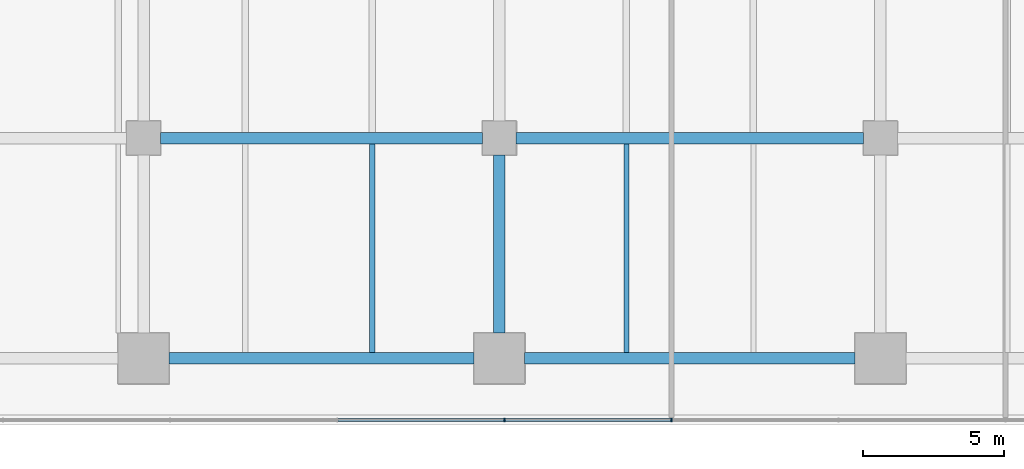
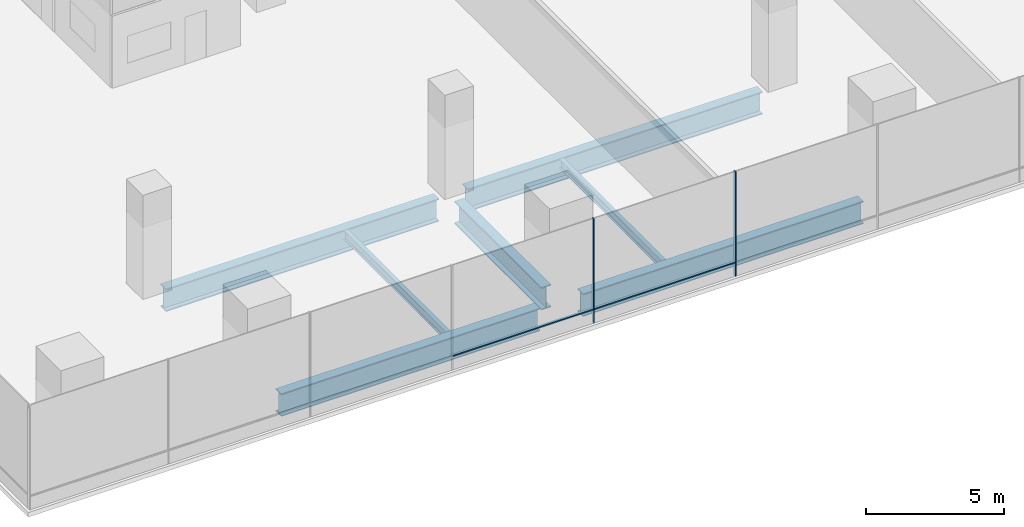
# One storey, part 3 of 28: 7 beams, 4 members, 1 element without a shape of its own.
"""IFC4 building model written with IfcOpenShell, lengths in metres."""

from ifc_helpers import new_model, si_unit, direction, frame, origin, origin_2d, place, context, subcontext, project, spatial, rectangle, i_section, extrude, material, layer, layer_set, material_profile, profile_set, type_object, element, aggregate, save


model = new_model("IFC4")

# Units and contexts
model_context = context("Model", 3, precision=1e-05, world=origin(), true_north=direction((0.0, 1.0)))
body_context = subcontext(model_context, "Body", "Model", "MODEL_VIEW")
ifc_project = project(units=[si_unit("LENGTHUNIT", "METRE"), si_unit("AREAUNIT", "SQUARE_METRE"), si_unit("VOLUMEUNIT", "CUBIC_METRE"), si_unit("PLANEANGLEUNIT", "RADIAN"), si_unit("MASSUNIT", "GRAM", prefix="KILO")], contexts=[model_context])

# Site, building, storey
site_placement = place(None, origin())
site = spatial("IfcSite", under=ifc_project, at=site_placement, CompositionType="ELEMENT")
building_placement = place(site_placement, origin())
building = spatial("IfcBuilding", under=site, at=building_placement, Name="Rattan Terrace Tower", CompositionType="ELEMENT")
storey_placement = place(building_placement, frame((0.0, 0.0, 22.199951171875)))
storey = spatial("IfcBuildingStorey", under=building, at=storey_placement, Name="L04", CompositionType="ELEMENT", Elevation=22.199951171875)

# Beams
ifc_material_1 = material(Name="Steel S355", Category="steel")
ifc_material_profile_1 = material_profile(ifc_material_1, i_section(OverallWidth=0.179931640625, OverallDepth=0.39990234375, WebThickness=0.008544921875, FlangeThickness=0.013427734375, FilletRadius=0.02099609375, at=origin_2d()), Name="IPE 400")
ifc_profile_set_1 = profile_set([ifc_material_profile_1], Name="Steel S355")
beam_type_1 = type_object("IfcBeamType", Name="Frame floor beam IPE 400", PredefinedType="JOIST", material=ifc_profile_set_1)
for number, where, z_axis, x_axis, name in (
    (1, (-18.0, -34.699951171875, -0.39990234375), (0.0, 1.0, 0.0), (-1.0, 0.0, 0.0), "bm-L04-005"),
    (2, (-9.0, -34.699951171875, -0.39990234375), (0.0, 1.0, 0.0), (-1.0, 0.0, 0.0), "bm-L04-006"),
):
    element("IfcBeam", number, at=place(storey_placement, frame(where, z_axis=z_axis, x_axis=x_axis)), inside=storey, type_object=beam_type_1, Name=name, PredefinedType="JOIST", context=body_context, shape_type="SweptSolid", body=[
        extrude(i_section(OverallWidth=0.179931640625, OverallDepth=0.39990234375, WebThickness=0.008544921875, FlangeThickness=0.013427734375, FilletRadius=0.02099609375, at=origin_2d()), origin(), (0.0, 0.0, 1.0), 7.39990234375),
    ])
ifc_material_2 = material(Name="Steel S460", Category="steel")
ifc_material_profile_2 = material_profile(ifc_material_2, i_section(OverallWidth=0.39990234375, OverallDepth=1.0, WebThickness=0.01806640625, FlangeThickness=0.044921875, at=origin_2d()), Name="PG 1000x400-18-45")
ifc_profile_set_2 = profile_set([ifc_material_profile_2], Name="Steel S460")
beam_type_2 = type_object("IfcBeamType", Name="Frame podium girder PG 1000x400-18-45", PredefinedType="USERDEFINED", material=ifc_profile_set_2)
beam_1_placement = place(storey_placement, frame((-25.199951171875, -34.89990234375, -0.699951171875), z_axis=(1.0, 0.0, 0.0), x_axis=(0.0, 1.0, 0.0)))
element("IfcBeam", 3, at=beam_1_placement, inside=storey, type_object=beam_type_2, Name="gdr-L04-002", ObjectType="PODIUM GIRDER", PredefinedType="USERDEFINED", context=body_context, shape_type="SweptSolid", body=[
    extrude(i_section(OverallWidth=0.39990234375, OverallDepth=1.0, WebThickness=0.01806640625, FlangeThickness=0.044921875, at=origin_2d()), origin(), (0.0, 0.0, 1.0), 10.800048828125),
])
beam_2_placement = place(storey_placement, frame((-12.60009765625, -34.89990234375, -0.699951171875), z_axis=(1.0, 0.0, 0.0), x_axis=(0.0, 1.0, 0.0)))
element("IfcBeam", 4, at=beam_2_placement, inside=storey, type_object=beam_type_2, Name="gdr-L04-003", ObjectType="PODIUM GIRDER", PredefinedType="USERDEFINED", context=body_context, shape_type="SweptSolid", body=[
    extrude(i_section(OverallWidth=0.39990234375, OverallDepth=1.0, WebThickness=0.01806640625, FlangeThickness=0.044921875, at=origin_2d()), origin(), (0.0, 0.0, 1.0), 11.7001953125),
])
beam_3_placement = place(storey_placement, frame((-13.5, -34.0, -0.699951171875), z_axis=(0.0, 1.0, 0.0), x_axis=(-1.0, 0.0, 0.0)))
element("IfcBeam", 5, at=beam_3_placement, inside=storey, type_object=beam_type_2, Name="gdr-L04-009", ObjectType="PODIUM GIRDER", PredefinedType="USERDEFINED", context=body_context, shape_type="SweptSolid", body=[
    extrude(i_section(OverallWidth=0.39990234375, OverallDepth=1.0, WebThickness=0.01806640625, FlangeThickness=0.044921875, at=origin_2d()), origin(), (0.0, 0.0, 1.0), 6.300048828125),
])
beam_4_placement = place(storey_placement, frame((-25.5, -27.10009765625, -0.699951171875), z_axis=(1.0, 0.0, 0.0), x_axis=(0.0, 1.0, 0.0)))
element("IfcBeam", 6, at=beam_4_placement, inside=storey, type_object=beam_type_2, Name="gdr-L04-015", ObjectType="PODIUM GIRDER", PredefinedType="USERDEFINED", context=body_context, shape_type="SweptSolid", body=[
    extrude(i_section(OverallWidth=0.39990234375, OverallDepth=1.0, WebThickness=0.01806640625, FlangeThickness=0.044921875, at=origin_2d()), origin(), (0.0, 0.0, 1.0), 11.39990234375),
])
beam_5_placement = place(storey_placement, frame((-12.89990234375, -27.10009765625, -0.699951171875), z_axis=(1.0, 0.0, 0.0), x_axis=(0.0, 1.0, 0.0)))
element("IfcBeam", 7, at=beam_5_placement, inside=storey, type_object=beam_type_2, Name="gdr-L04-016", ObjectType="PODIUM GIRDER", PredefinedType="USERDEFINED", context=body_context, shape_type="SweptSolid", body=[
    extrude(i_section(OverallWidth=0.39990234375, OverallDepth=1.0, WebThickness=0.01806640625, FlangeThickness=0.044921875, at=origin_2d()), origin(), (0.0, 0.0, 1.0), 12.2998046875),
])

# Curtain wall, members
ifc_material_3 = material(Name="Aluminium and glass", Category="aluminium")
ifc_layer = layer(ifc_material_3, 0.1201171875)
ifc_layer_set = layer_set([ifc_layer], Name="Station Storefront Curtain Wall")
curtain_wall_type = type_object("IfcCurtainWallType", Name="Station Storefront Curtain Wall", PredefinedType="NOTDEFINED", material=ifc_layer_set)
curtain_wall_placement = place(storey_placement, origin())
curtain_wall = element("IfcCurtainWall", 8, at=curtain_wall_placement, inside=storey, type_object=curtain_wall_type, Name="Storefront curtain wall L04-4", PredefinedType="NOTDEFINED")
ifc_material_4 = material(Name="Aluminium", Category="aluminium")
ifc_material_profile_3 = material_profile(ifc_material_4, rectangle(XDim=0.050048828125, YDim=0.1201171875, at=origin_2d()), Name="Aluminium 50x120")
ifc_profile_set_3 = profile_set([ifc_material_profile_3], Name="Aluminium")
member_type_1 = type_object("IfcMemberType", Name="Storefront CW Mullion 50x120", PredefinedType="MULLION", material=ifc_profile_set_3)
member_1_placement = place(storey_placement, frame((-13.320068359375, -37.080078125, 0.0), z_axis=(0.0, 0.0, 1.0), x_axis=(1.0, 0.0, 0.0)))
member_1 = element("IfcMember", 9, at=member_1_placement, type_object=member_type_1, Name="Mullion cwl-L04-004.5", PredefinedType="MULLION", context=body_context, shape_type="SweptSolid", body=[
    extrude(rectangle(XDim=0.050048828125, YDim=0.1201171875, at=origin_2d()), origin(), (0.0, 0.0, 1.0), 4.60009765625),
])
member_2_placement = place(storey_placement, frame((-7.39990234375, -37.080078125, 0.0), z_axis=(0.0, 0.0, 1.0), x_axis=(1.0, 0.0, 0.0)))
member_2 = element("IfcMember", 10, at=member_2_placement, type_object=member_type_1, Name="Mullion cwl-L04-004.6", PredefinedType="MULLION", context=body_context, shape_type="SweptSolid", body=[
    extrude(rectangle(XDim=0.050048828125, YDim=0.1201171875, at=origin_2d()), origin(), (0.0, 0.0, 1.0), 4.60009765625),
])
ifc_material_5 = material(Name="Aluminium", Category="aluminium")
ifc_material_profile_4 = material_profile(ifc_material_5, rectangle(XDim=0.10009765625, YDim=0.050048828125, at=origin_2d()), Name="Aluminium 100x50")
ifc_profile_set_4 = profile_set([ifc_material_profile_4], Name="Aluminium")
member_type_2 = type_object("IfcMemberType", Name="Storefront CW Transom 100x50", PredefinedType="USERDEFINED", material=ifc_profile_set_4)
member_3_placement = place(storey_placement, frame((-19.215087890625, -37.080078125, 0.60009765625), z_axis=(1.0, 0.0, 0.0), x_axis=(0.0, 1.0, 0.0)))
member_3 = element("IfcMember", 11, at=member_3_placement, type_object=member_type_2, Name="Transom cwl-L04-004.4", ObjectType="TRANSOM", PredefinedType="USERDEFINED", context=body_context, shape_type="SweptSolid", body=[
    extrude(rectangle(XDim=0.10009765625, YDim=0.050048828125, at=origin_2d()), origin(), (0.0, 0.0, 1.0), 5.8701171875),
])
member_4_placement = place(storey_placement, frame((-13.294921875, -37.080078125, 0.60009765625), z_axis=(1.0, 0.0, 0.0), x_axis=(0.0, 1.0, 0.0)))
member_4 = element("IfcMember", 12, at=member_4_placement, type_object=member_type_2, Name="Transom cwl-L04-004.5", ObjectType="TRANSOM", PredefinedType="USERDEFINED", context=body_context, shape_type="SweptSolid", body=[
    extrude(rectangle(XDim=0.10009765625, YDim=0.050048828125, at=origin_2d()), origin(), (0.0, 0.0, 1.0), 5.869873046875),
])
aggregate(curtain_wall, [member_1, member_2, member_3, member_4])

save(model, "model.ifc")
